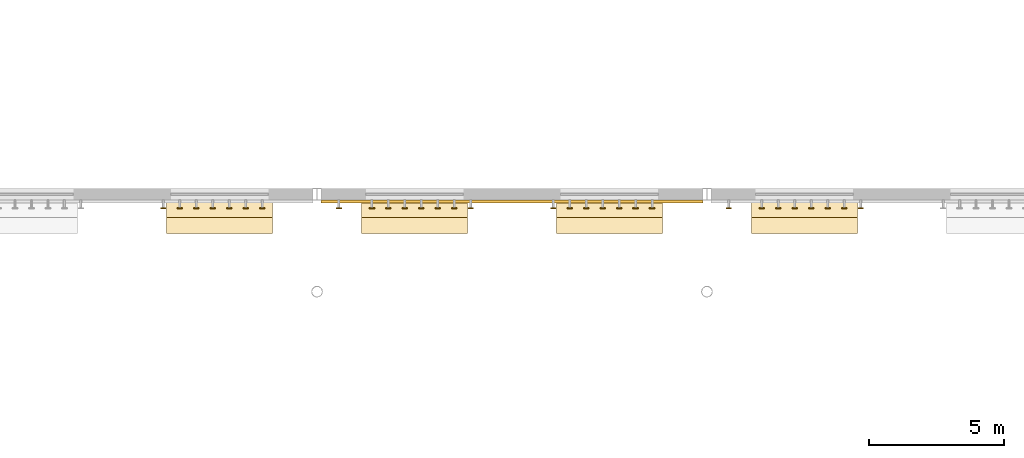
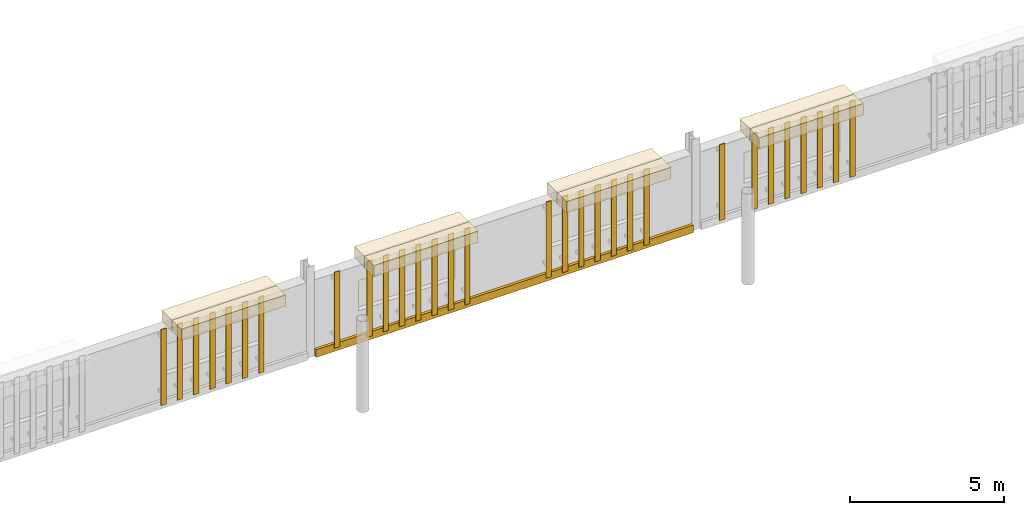
# One storey, part 104 of 124: 30 shading devices, 9 coverings.
"""IFC4 building model written with IfcOpenShell, lengths in metres."""

import ifcopenshell
import ifcopenshell.guid

model = None  # the IFC model being written
_history = None  # IfcOwnerHistory: only IFC2X3 demands one
_inside = {}  # id of a spatial element -> (the spatial element, [elements in it])
_under = {}  # id of a project, library or spatial element -> (it, [spatial elements below it])
_declared = {}  # id of a project -> (the project, [libraries it declares])
_typed = {}  # id of a type object -> (the type object, [elements of that type])
_made_of = {}  # id of a material, layer set ... -> (it, [elements and type objects made of it])


def new_model(schema):
    """Start an empty IFC model of exactly this schema.

    Asked for "IFC4X3", IfcOpenShell would pick the latest addendum, in which some entities
    have other attributes; the version numbers below select the first issue.
    IFC2X3 requires an IfcOwnerHistory on every rooted entity: one is made here for all.
    """
    global model, _history
    if schema == "IFC4X3":
        model = ifcopenshell.file(schema_version=(4, 3, 0, 0))
    else:
        model = ifcopenshell.file(schema=schema)
    _inside.clear()
    _under.clear()
    _declared.clear()
    _typed.clear()
    _made_of.clear()
    _history = None
    if model.schema == "IFC2X3":
        org = make("IfcOrganization", Name="unknown")
        user = make(
            "IfcPersonAndOrganization",
            ThePerson=make("IfcPerson", FamilyName="unknown"),
            TheOrganization=org,
        )
        app = make(
            "IfcApplication",
            ApplicationDeveloper=org,
            Version="unknown",
            ApplicationFullName="unknown",
            ApplicationIdentifier="unknown",
        )
        _history = make(
            "IfcOwnerHistory",
            OwningUser=user,
            OwningApplication=app,
            ChangeAction="ADDED",
            CreationDate=0,
        )
    return model


def make(cls, **values):
    """One entity of the class cls with the attributes given. An attribute that is None is left unset."""
    return model.create_entity(
        cls, **{name: value for name, value in values.items() if value is not None}
    )


def rooted(cls, **values):
    """An entity with a GlobalId (a new one), such as an element, a storey or a relation."""
    return make(cls, GlobalId=ifcopenshell.guid.new(), OwnerHistory=_history, **values)


def si_unit(unit_type, name, prefix=None):
    """IfcSIUnit, for example si_unit("LENGTHUNIT", "METRE", prefix="MILLI")."""
    return make("IfcSIUnit", UnitType=unit_type, Prefix=prefix, Name=name)


def assignment(units):
    """IfcUnitAssignment: the units of a project."""
    return None if units is None else make("IfcUnitAssignment", Units=units)


def point(xyz):
    """IfcCartesianPoint."""
    return None if xyz is None else make("IfcCartesianPoint", Coordinates=xyz)


def direction(xyz):
    """IfcDirection."""
    return None if xyz is None else make("IfcDirection", DirectionRatios=xyz)


def frame(location, z_axis=None, x_axis=None):
    """IfcAxis2Placement3D, a coordinate frame: its origin and axes. An axis left out is left unset."""
    return make(
        "IfcAxis2Placement3D",
        Location=point(location),
        Axis=direction(z_axis),
        RefDirection=direction(x_axis),
    )


def frame_2d(location, x_axis=None):
    """IfcAxis2Placement2D, a coordinate frame in the plane: its origin and x axis."""
    return make(
        "IfcAxis2Placement2D", Location=point(location), RefDirection=direction(x_axis)
    )


def origin():
    """The frame at (0, 0, 0) with its axes left unset."""
    return frame((0.0, 0.0, 0.0))


def origin_2d():
    """The frame at (0, 0) in the plane with its x axis left unset."""
    return frame_2d((0.0, 0.0))


def place(relative_to, where):
    """IfcLocalPlacement: puts the frame where relative to a parent placement (None: the world)."""
    return make(
        "IfcLocalPlacement", PlacementRelTo=relative_to, RelativePlacement=where
    )


def context(
    kind, dimensions, precision=None, world=None, true_north=None, identifier=None
):
    """IfcGeometricRepresentationContext, for example the 3D "Model" context."""
    return make(
        "IfcGeometricRepresentationContext",
        ContextIdentifier=identifier,
        ContextType=kind,
        CoordinateSpaceDimension=dimensions,
        Precision=precision,
        WorldCoordinateSystem=world,
        TrueNorth=true_north,
    )


def subcontext(parent, identifier, kind, view, scale=None):
    """IfcGeometricRepresentationSubContext, for example "Body" below "Model"."""
    return make(
        "IfcGeometricRepresentationSubContext",
        ContextIdentifier=identifier,
        ContextType=kind,
        ParentContext=parent,
        TargetScale=scale,
        TargetView=view,
    )


def project(units=None, contexts=None):
    """IfcProject with its units and contexts."""
    return rooted(
        "IfcProject",
        Name="project",
        RepresentationContexts=contexts,
        UnitsInContext=assignment(units),
    )


def spatial(cls, under=None, at=None, **own):
    """A site, building, storey or space (cls), placed at a placement, below another one or the project."""
    s = rooted(cls, ObjectPlacement=at, **own)
    if under is not None:
        _under.setdefault(under.id(), (under, []))[1].append(s)
    return s


def profile(cls, at=None, kind="AREA", **sizes):
    """A parametric profile (cls). Its sizes go by their IFC names, for example OverallWidth=200.0."""
    return make(cls, ProfileType=kind, Position=at, **sizes)


def rectangle(**sizes):
    """IfcRectangleProfileDef."""
    return profile("IfcRectangleProfileDef", **sizes)


def extrude(swept, where, along, depth):
    """IfcExtrudedAreaSolid: the profile swept, set in the frame where, extruded along a direction by depth."""
    return make(
        "IfcExtrudedAreaSolid",
        SweptArea=swept,
        Position=where,
        ExtrudedDirection=direction(along),
        Depth=depth,
    )


def shape(context_of_items, identifier, shape_type, items):
    """IfcShapeRepresentation: the items that make up one representation, for example the "Body"."""
    return make(
        "IfcShapeRepresentation",
        ContextOfItems=context_of_items,
        RepresentationIdentifier=identifier,
        RepresentationType=shape_type,
        Items=items,
    )


def material(Name=None, Category=None):
    """IfcMaterial."""
    return make("IfcMaterial", Name=Name, Category=Category)


def layer(
    of_material, thickness, ventilated=None, Name=None, Category=None, Priority=None
):
    """IfcMaterialLayer: one layer of a wall or slab, of a material (None: an air gap)."""
    return make(
        "IfcMaterialLayer",
        Material=of_material,
        LayerThickness=thickness,
        IsVentilated=ventilated,
        Name=Name,
        Category=Category,
        Priority=Priority,
    )


def layer_set(layers, Name=None):
    """IfcMaterialLayerSet."""
    return make("IfcMaterialLayerSet", MaterialLayers=layers, LayerSetName=Name)


def made_of(thing, what):
    """Note that an element or type object is made of a material, layer set ...; save() writes the relation."""
    if what is not None:
        _made_of.setdefault(what.id(), (what, []))[1].append(thing)
    return thing


def type_object(cls, material=None, **own):
    """A type object (cls), such as IfcWallType, which elements share."""
    return made_of(rooted(cls, **own), material)


def element(
    cls,
    number,
    at=None,
    inside=None,
    cuts=None,
    type_object=None,
    material=None,
    context=None,
    identifier="Body",
    shape_type=None,
    held_by="IfcProductDefinitionShape",
    body=None,
    shapes=None,
    **own,
):
    """One element of the class cls, such as IfcWall. Its Tag is "e" and its number.

    at: its placement. inside: the storey or other place that contains it. cuts: it is an
    opening in that element (IfcRelVoidsElement). A single representation is given by context,
    identifier, shape_type and body (its items); several are given by shapes. held_by: the class
    of the entity that holds the representations. save() writes the other relations.
    """
    e = rooted(cls, Tag="e%d" % number, ObjectPlacement=at, **own)
    if body is not None:
        shapes = [shape(context, identifier, shape_type, body)]
    if shapes is not None:
        e.Representation = make(held_by, Representations=shapes)
    if inside is not None:
        _inside.setdefault(inside.id(), (inside, []))[1].append(e)
    if cuts is not None:
        rooted(
            "IfcRelVoidsElement", RelatingBuildingElement=cuts, RelatedOpeningElement=e
        )
    if type_object is not None:
        _typed.setdefault(type_object.id(), (type_object, []))[1].append(e)
    return made_of(e, material)


def aggregate(whole, parts):
    """IfcRelAggregates: a whole, such as a stair, and the parts it consists of."""
    return rooted("IfcRelAggregates", RelatingObject=whole, RelatedObjects=parts)


def save(model, path):
    """Write the relations noted so far, then the file.

    IfcRelAggregates (storeys below a building ...), IfcRelContainedInSpatialStructure (elements
    in a storey), IfcRelDefinesByType, IfcRelAssociatesMaterial and IfcRelDeclares: one each for
    every whole, place, type object, material and project.
    """
    for whole, parts in _under.values():
        aggregate(whole, parts)
    for where, things in _inside.values():
        rooted(
            "IfcRelContainedInSpatialStructure",
            RelatedElements=things,
            RelatingStructure=where,
        )
    for kind, things in _typed.values():
        rooted("IfcRelDefinesByType", RelatedObjects=things, RelatingType=kind)
    for what, things in _made_of.values():
        rooted("IfcRelAssociatesMaterial", RelatedObjects=things, RelatingMaterial=what)
    for by, libraries in _declared.values():
        rooted("IfcRelDeclares", RelatingContext=by, RelatedDefinitions=libraries)
    model.write(path)


model = new_model("IFC4")

# Units and contexts
model_context = context("Model", 3, precision=1e-05, world=origin(), true_north=direction((0.0, 1.0)))
body_context = subcontext(model_context, "Body", "Model", "MODEL_VIEW")
ifc_project = project(units=[si_unit("LENGTHUNIT", "METRE"), si_unit("AREAUNIT", "SQUARE_METRE"), si_unit("VOLUMEUNIT", "CUBIC_METRE"), si_unit("PLANEANGLEUNIT", "RADIAN"), si_unit("MASSUNIT", "GRAM", prefix="KILO")], contexts=[model_context])

# Site, building, storey
site_placement = place(None, origin())
site = spatial("IfcSite", under=ifc_project, at=site_placement, CompositionType="ELEMENT")
building_placement = place(site_placement, origin())
building = spatial("IfcBuilding", under=site, at=building_placement, Name="Kupolbacken Congress Centre", CompositionType="ELEMENT")
storey_placement = place(building_placement, frame((0.0, 0.0, 10.800048828125)))
storey = spatial("IfcBuildingStorey", under=building, at=storey_placement, Name="L03", CompositionType="ELEMENT", Elevation=10.800048828125)

# Coverings
ifc_material_1 = material(Name="Brick cladding", Category="masonry")
ifc_layer_1 = layer(ifc_material_1, 0.10791015625)
ifc_layer_set_1 = layer_set([ifc_layer_1], Name="Brick cladding")
covering_type_1 = type_object("IfcCoveringType", Name="CV2 brick cladding band 108", PredefinedType="CLADDING", material=ifc_layer_set_1)
covering_1_placement = place(storey_placement, frame((115.199951171875, 42.93603515625, 0.0), z_axis=(0.0, 0.0, 1.0), x_axis=(1.0, 0.0, 0.0)))
element("IfcCovering", 1, at=covering_1_placement, inside=storey, type_object=covering_type_1, Name="E/H/S/L03/364/band", PredefinedType="CLADDING", context=body_context, shape_type="SweptSolid", body=[
    extrude(rectangle(XDim=14.10009765625, YDim=0.10791015625, at=origin_2d()), origin(), (0.0, 0.0, 1.0), 0.300048828125),
])
ifc_material_2 = material(Name="Limestone cladding", Category="masonry")
ifc_layer_2 = layer(ifc_material_2, 0.60009765625)
ifc_layer_set_2 = layer_set([ifc_layer_2], Name="Limestone cladding")
covering_type_2 = type_object("IfcCoveringType", Name="CV5 limestone arcade pier 600", PredefinedType="CLADDING", material=ifc_layer_set_2)
covering_2_placement = place(storey_placement, frame((104.39990234375, 42.6650390625, 3.35009765625), z_axis=(0.0, 0.0, 1.0), x_axis=(1.0, 0.0, 0.0)))
element("IfcCovering", 2, at=covering_2_placement, inside=storey, type_object=covering_type_2, Name="F/HR/H/S/fin/02/1/a", PredefinedType="CLADDING", context=body_context, shape_type="SweptSolid", body=[
    extrude(rectangle(XDim=3.89990234375, YDim=0.64990234375, at=origin_2d()), origin(), (0.0, 0.0, 1.0), 0.449951171875),
])
covering_3_placement = place(storey_placement, frame((104.39990234375, 42.0400390625, 3.35009765625), z_axis=(0.0, 0.0, 1.0), x_axis=(1.0, 0.0, 0.0)))
element("IfcCovering", 3, at=covering_3_placement, inside=storey, type_object=covering_type_2, Name="F/HR/H/S/fin/02/1/b", PredefinedType="CLADDING", context=body_context, shape_type="SweptSolid", body=[
    extrude(rectangle(XDim=3.89990234375, YDim=0.60009765625, at=origin_2d()), origin(), (0.0, 0.0, 1.0), 0.449951171875),
])
covering_4_placement = place(storey_placement, frame((111.60009765625, 42.6650390625, 3.35009765625), z_axis=(0.0, 0.0, 1.0), x_axis=(1.0, 0.0, 0.0)))
element("IfcCovering", 4, at=covering_4_placement, inside=storey, type_object=covering_type_2, Name="F/HR/H/S/fin/03/1/a", PredefinedType="CLADDING", context=body_context, shape_type="SweptSolid", body=[
    extrude(rectangle(XDim=3.89990234375, YDim=0.64990234375, at=origin_2d()), origin(), (0.0, 0.0, 1.0), 0.449951171875),
])
covering_5_placement = place(storey_placement, frame((111.60009765625, 42.0400390625, 3.35009765625), z_axis=(0.0, 0.0, 1.0), x_axis=(1.0, 0.0, 0.0)))
element("IfcCovering", 5, at=covering_5_placement, inside=storey, type_object=covering_type_2, Name="F/HR/H/S/fin/03/1/b", PredefinedType="CLADDING", context=body_context, shape_type="SweptSolid", body=[
    extrude(rectangle(XDim=3.89990234375, YDim=0.60009765625, at=origin_2d()), origin(), (0.0, 0.0, 1.0), 0.449951171875),
])
covering_6_placement = place(storey_placement, frame((118.800048828125, 42.6650390625, 3.35009765625), z_axis=(0.0, 0.0, 1.0), x_axis=(1.0, 0.0, 0.0)))
element("IfcCovering", 6, at=covering_6_placement, inside=storey, type_object=covering_type_2, Name="F/HR/H/S/fin/04/1/a", PredefinedType="CLADDING", context=body_context, shape_type="SweptSolid", body=[
    extrude(rectangle(XDim=3.89990234375, YDim=0.64990234375, at=origin_2d()), origin(), (0.0, 0.0, 1.0), 0.449951171875),
])
covering_7_placement = place(storey_placement, frame((118.800048828125, 42.0400390625, 3.35009765625), z_axis=(0.0, 0.0, 1.0), x_axis=(1.0, 0.0, 0.0)))
element("IfcCovering", 7, at=covering_7_placement, inside=storey, type_object=covering_type_2, Name="F/HR/H/S/fin/04/1/b", PredefinedType="CLADDING", context=body_context, shape_type="SweptSolid", body=[
    extrude(rectangle(XDim=3.89990234375, YDim=0.60009765625, at=origin_2d()), origin(), (0.0, 0.0, 1.0), 0.449951171875),
])
covering_8_placement = place(storey_placement, frame((126.0, 42.6650390625, 3.35009765625), z_axis=(0.0, 0.0, 1.0), x_axis=(1.0, 0.0, 0.0)))
element("IfcCovering", 8, at=covering_8_placement, inside=storey, type_object=covering_type_2, Name="F/HR/H/S/fin/05/1/a", PredefinedType="CLADDING", context=body_context, shape_type="SweptSolid", body=[
    extrude(rectangle(XDim=3.89990234375, YDim=0.64990234375, at=origin_2d()), origin(), (0.0, 0.0, 1.0), 0.449951171875),
])
covering_9_placement = place(storey_placement, frame((126.0, 42.0400390625, 3.35009765625), z_axis=(0.0, 0.0, 1.0), x_axis=(1.0, 0.0, 0.0)))
element("IfcCovering", 9, at=covering_9_placement, inside=storey, type_object=covering_type_2, Name="F/HR/H/S/fin/05/1/b", PredefinedType="CLADDING", context=body_context, shape_type="SweptSolid", body=[
    extrude(rectangle(XDim=3.89990234375, YDim=0.60009765625, at=origin_2d()), origin(), (0.0, 0.0, 1.0), 0.449951171875),
])

# Shading devices
ifc_material_3 = material(Name="Aluminium alloy louvre", Category="aluminium")
ifc_layer_3 = layer(ifc_material_3, 0.030029296875)
ifc_layer_set_3 = layer_set([ifc_layer_3], Name="Aluminium alloy louvre")
shading_device_type = type_object("IfcShadingDeviceType", Name="SC1 louvre blade 30 x 200", PredefinedType="JALOUSIE", material=ifc_layer_set_3)
for number, where, z_axis, x_axis, name in (
    (10, (102.32275390625, 42.675048828125, 0.300048828125), (0.0, 0.0, 1.0), (1.0, 0.0, 0.0), "E/brise/S/L03/363/B14"),
    (11, (102.931884765625, 42.675048828125, 0.300048828125), (0.0, 0.0, 1.0), (1.0, 0.0, 0.0), "E/brise/S/L03/363/B15"),
    (12, (103.541015625, 42.675048828125, 0.300048828125), (0.0, 0.0, 1.0), (1.0, 0.0, 0.0), "E/brise/S/L03/363/B16"),
    (13, (104.14990234375, 42.675048828125, 0.300048828125), (0.0, 0.0, 1.0), (1.0, 0.0, 0.0), "E/brise/S/L03/363/B17"),
    (14, (104.759033203125, 42.675048828125, 0.300048828125), (0.0, 0.0, 1.0), (1.0, 0.0, 0.0), "E/brise/S/L03/363/B18"),
    (15, (105.3681640625, 42.675048828125, 0.300048828125), (0.0, 0.0, 1.0), (1.0, 0.0, 0.0), "E/brise/S/L03/363/B19"),
    (16, (105.977294921875, 42.675048828125, 0.300048828125), (0.0, 0.0, 1.0), (1.0, 0.0, 0.0), "E/brise/S/L03/363/B20"),
    (17, (108.804443359375, 42.675048828125, 0.300048828125), (0.0, 0.0, 1.0), (1.0, 0.0, 0.0), "E/brise/S/L03/364/B01"),
    (18, (110.022705078125, 42.675048828125, 0.300048828125), (0.0, 0.0, 1.0), (1.0, 0.0, 0.0), "E/brise/S/L03/364/B03"),
    (19, (110.6318359375, 42.675048828125, 0.300048828125), (0.0, 0.0, 1.0), (1.0, 0.0, 0.0), "E/brise/S/L03/364/B04"),
    (20, (111.240966796875, 42.675048828125, 0.300048828125), (0.0, 0.0, 1.0), (1.0, 0.0, 0.0), "E/brise/S/L03/364/B05"),
    (21, (111.85009765625, 42.675048828125, 0.300048828125), (0.0, 0.0, 1.0), (1.0, 0.0, 0.0), "E/brise/S/L03/364/B06"),
    (22, (112.458984375, 42.675048828125, 0.300048828125), (0.0, 0.0, 1.0), (1.0, 0.0, 0.0), "E/brise/S/L03/364/B07"),
    (23, (113.068115234375, 42.675048828125, 0.300048828125), (0.0, 0.0, 1.0), (1.0, 0.0, 0.0), "E/brise/S/L03/364/B08"),
    (24, (113.67724609375, 42.675048828125, 0.300048828125), (0.0, 0.0, 1.0), (1.0, 0.0, 0.0), "E/brise/S/L03/364/B09"),
    (25, (116.72265625, 42.675048828125, 0.300048828125), (0.0, 0.0, 1.0), (1.0, 0.0, 0.0), "E/brise/S/L03/364/B14"),
    (26, (117.331787109375, 42.675048828125, 0.300048828125), (0.0, 0.0, 1.0), (1.0, 0.0, 0.0), "E/brise/S/L03/364/B15"),
    (27, (117.94091796875, 42.675048828125, 0.300048828125), (0.0, 0.0, 1.0), (1.0, 0.0, 0.0), "E/brise/S/L03/364/B16"),
    (28, (118.550048828125, 42.675048828125, 0.300048828125), (0.0, 0.0, 1.0), (1.0, 0.0, 0.0), "E/brise/S/L03/364/B17"),
    (29, (119.1591796875, 42.675048828125, 0.300048828125), (0.0, 0.0, 1.0), (1.0, 0.0, 0.0), "E/brise/S/L03/364/B18"),
    (30, (119.76806640625, 42.675048828125, 0.300048828125), (0.0, 0.0, 1.0), (1.0, 0.0, 0.0), "E/brise/S/L03/364/B19"),
    (31, (120.377197265625, 42.675048828125, 0.300048828125), (0.0, 0.0, 1.0), (1.0, 0.0, 0.0), "E/brise/S/L03/364/B20"),
    (32, (123.20458984375, 42.675048828125, 0.300048828125), (0.0, 0.0, 1.0), (1.0, 0.0, 0.0), "E/brise/S/L03/365/B01"),
    (33, (124.422607421875, 42.675048828125, 0.300048828125), (0.0, 0.0, 1.0), (1.0, 0.0, 0.0), "E/brise/S/L03/365/B03"),
    (34, (125.03173828125, 42.675048828125, 0.300048828125), (0.0, 0.0, 1.0), (1.0, 0.0, 0.0), "E/brise/S/L03/365/B04"),
    (35, (125.640869140625, 42.675048828125, 0.300048828125), (0.0, 0.0, 1.0), (1.0, 0.0, 0.0), "E/brise/S/L03/365/B05"),
    (36, (126.25, 42.675048828125, 0.300048828125), (0.0, 0.0, 1.0), (1.0, 0.0, 0.0), "E/brise/S/L03/365/B06"),
    (37, (126.859130859375, 42.675048828125, 0.300048828125), (0.0, 0.0, 1.0), (1.0, 0.0, 0.0), "E/brise/S/L03/365/B07"),
    (38, (127.46826171875, 42.675048828125, 0.300048828125), (0.0, 0.0, 1.0), (1.0, 0.0, 0.0), "E/brise/S/L03/365/B08"),
    (39, (128.077392578125, 42.675048828125, 0.300048828125), (0.0, 0.0, 1.0), (1.0, 0.0, 0.0), "E/brise/S/L03/365/B09"),
):
    element("IfcShadingDevice", number, at=place(storey_placement, frame(where, z_axis=z_axis, x_axis=x_axis)), inside=storey, type_object=shading_device_type, Name=name, PredefinedType="JALOUSIE", context=body_context, shape_type="SweptSolid", body=[
        extrude(rectangle(XDim=0.199951171875, YDim=0.030029296875, at=origin_2d()), origin(), (0.0, 0.0, 1.0), 3.0),
    ])

save(model, "model.ifc")
